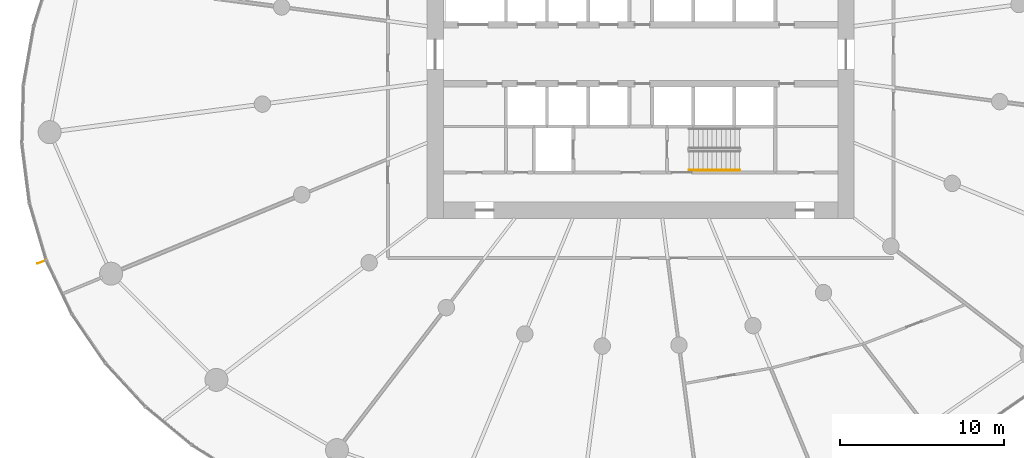
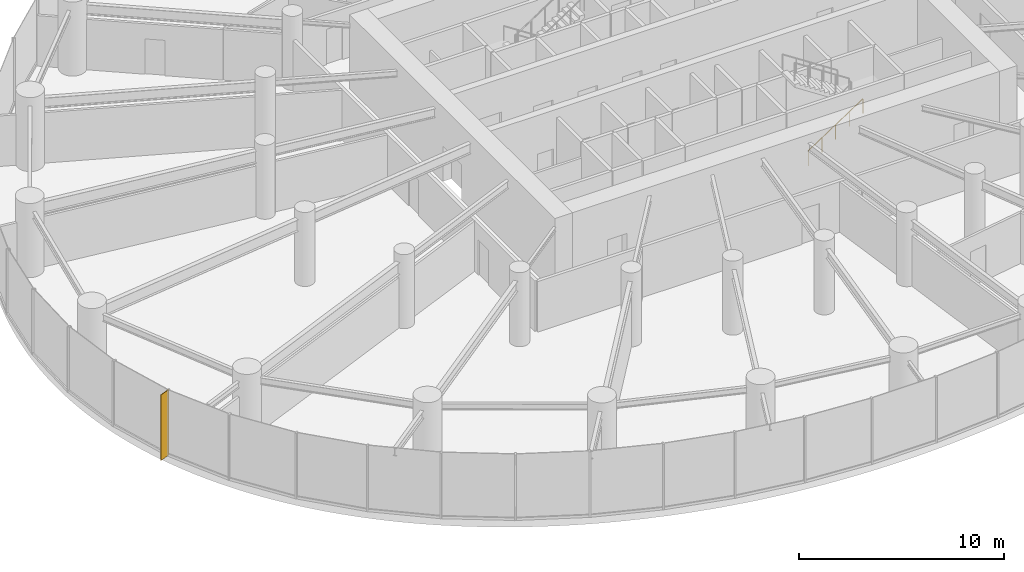
# One storey, part 16 of 18: 1 railing, 1 shading device.
"""IFC4 building model written with IfcOpenShell, lengths in metres."""

from ifc_helpers import new_model, si_unit, direction, frame, origin, origin_2d, place, context, subcontext, project, spatial, rectangle, circle, extrude, source, transform, mapped, material, material_profile, profile_set, type_object, element, save


model = new_model("IFC4")

# Units and contexts
model_context = context("Model", 3, precision=1e-05, world=origin(), true_north=direction((0.0, 1.0)))
body_context = subcontext(model_context, "Body", "Model", "MODEL_VIEW")
ifc_project = project(units=[si_unit("LENGTHUNIT", "METRE"), si_unit("AREAUNIT", "SQUARE_METRE"), si_unit("VOLUMEUNIT", "CUBIC_METRE"), si_unit("PLANEANGLEUNIT", "RADIAN"), si_unit("MASSUNIT", "GRAM", prefix="KILO")], contexts=[model_context])

# Site, building, storey
site_placement = place(None, origin())
site = spatial("IfcSite", under=ifc_project, at=site_placement, CompositionType="ELEMENT")
building_placement = place(site_placement, origin())
building = spatial("IfcBuilding", under=site, at=building_placement, Name="Spindrift Exchange Tower", CompositionType="ELEMENT")
storey_placement = place(building_placement, frame((0.0, 0.0, 71.0)))
storey = spatial("IfcBuildingStorey", under=building, at=storey_placement, Name="L16", CompositionType="ELEMENT", Elevation=71.0)

# Railing
ifc_material_1 = material(Name="Steel tubular handrail", Category="steel")
railing_type = type_object("IfcRailingType", Name="RL-STAIR-HAND", PredefinedType="HANDRAIL", material=ifc_material_1)
railing_placement = place(storey_placement, frame((54.949951171875, 40.949951171875, 0.183349609375)))
element("IfcRailing", 1, at=railing_placement, inside=storey, type_object=railing_type, Name="L16 ST2 stair handrail 1", PredefinedType="HANDRAIL", context=body_context, shape_type="SweptSolid", body=[
    extrude(circle(Radius=0.02392578125, at=origin_2d()), frame((0.0, 0.0, 0.8759765625), z_axis=(0.836633000464, 0.0, 0.547763838287), x_axis=(0.0, 1.0, 0.0)), (0.0, 0.0, 1.0), 3.681396484375),
    extrude(circle(Radius=0.02099609375, at=origin_2d()), origin(), (0.0, 0.0, 1.0), 0.851806640625),
    extrude(circle(Radius=0.02099609375, at=origin_2d()), frame((0.77001953125, 0.0, 0.504150390625)), (0.0, 0.0, 1.0), 0.851806640625),
    extrude(circle(Radius=0.02099609375, at=origin_2d()), frame((1.5400390625, 0.0, 1.00830078125)), (0.0, 0.0, 1.0), 0.851806640625),
    extrude(circle(Radius=0.02099609375, at=origin_2d()), frame((2.31005859375, 0.0, 1.512451171875)), (0.0, 0.0, 1.0), 0.851806640625),
    extrude(circle(Radius=0.02099609375, at=origin_2d()), frame((3.080078125, 0.0, 2.0166015625)), (0.0, 0.0, 1.0), 0.851806640625),
])

# Shading device
ifc_material_2 = material(Name="Bronze anodised aluminium", Category="aluminium")
ifc_material_profile = material_profile(ifc_material_2, rectangle(XDim=0.030029296875, YDim=0.60009765625, at=origin_2d()), Name="WIND FIN 30X600")
ifc_profile_set = profile_set([ifc_material_profile], Name="Bronze anodised aluminium")
shading_device_type = type_object("IfcShadingDeviceType", Name="WIND FIN 30X600", PredefinedType="USERDEFINED", material=ifc_profile_set)
shared_shape = source(origin(), body_context, "Body", "SweptSolid", [
    extrude(rectangle(XDim=0.030029296875, YDim=0.60009765625, at=origin_2d()), origin(), (0.0, 0.0, 1.0), 3.89990234375),
])
shading_device_placement = place(storey_placement, frame((15.5380859375, 35.361328125, 0.0), z_axis=(0.0, 0.0, 1.0), x_axis=(0.3574846517, -0.933919013512, 0.0)))
element("IfcShadingDevice", 2, at=shading_device_placement, inside=storey, type_object=shading_device_type, Name="L16 wind fin 1", ObjectType="FIN", PredefinedType="USERDEFINED", context=body_context, shape_type="MappedRepresentation", body=[
    mapped(shared_shape, transform((0.0, 0.0, 0.0), scale=1.0)),
])

save(model, "model.ifc")
